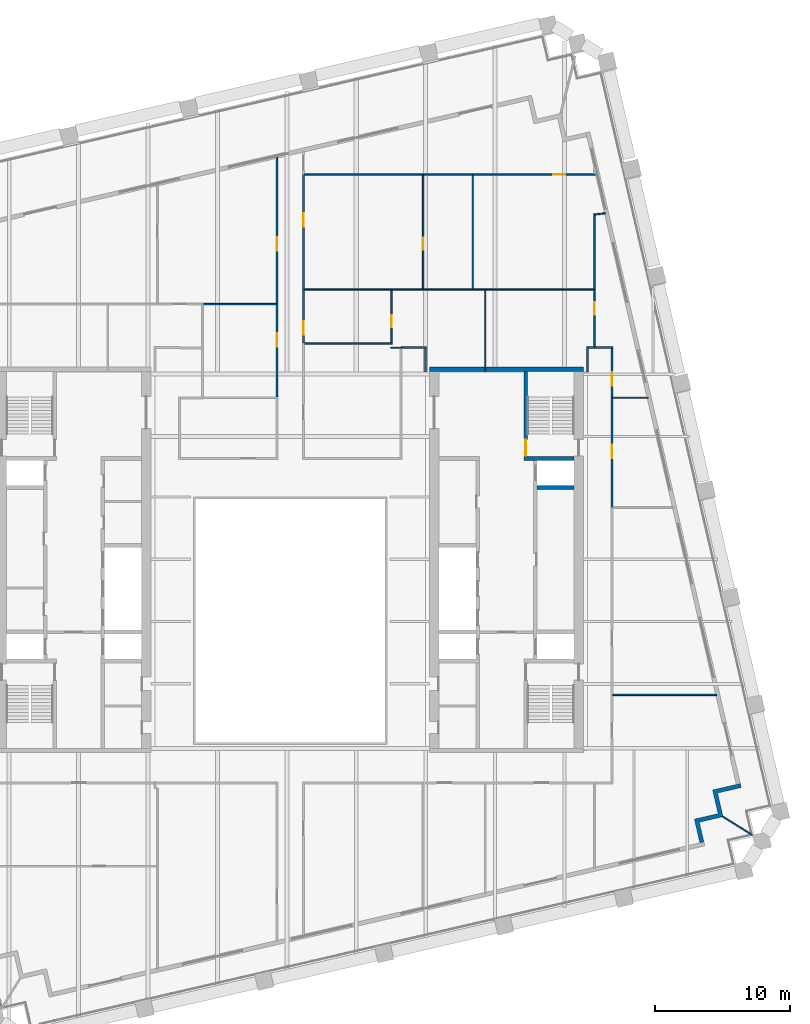
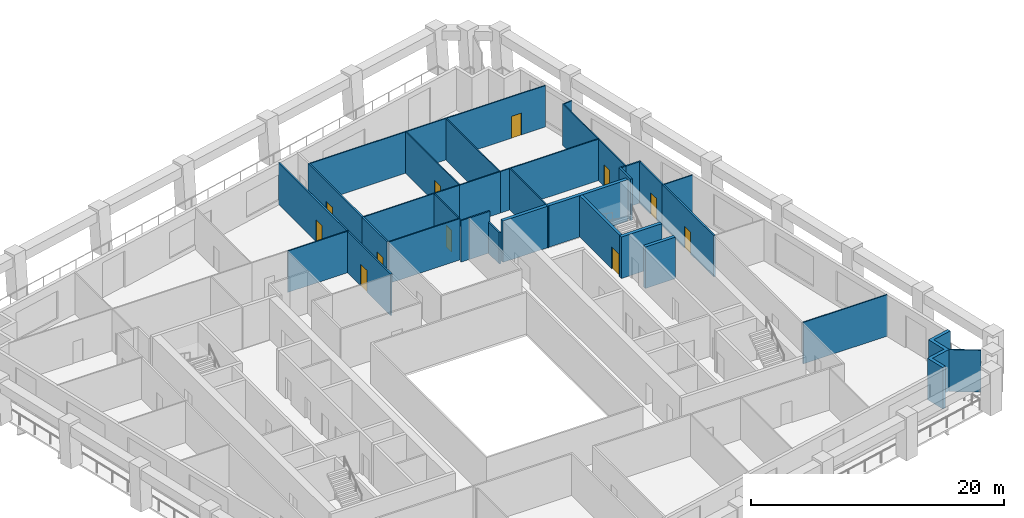
# One storey, part 8 of 10: 37 walls, 11 doors, 11 openings.
"""IFC4 building model written with IfcOpenShell, lengths in metres."""

from ifc_helpers import new_model, si_unit, direction, frame, frame_2d, origin, place, context, subcontext, project, spatial, polyline, rectangle, outline, extrude, material, layer, layer_set, type_object, element, fill, save


model = new_model("IFC4")

# Units and contexts
model_context = context("Model", 3, precision=1e-05, world=origin(), true_north=direction((0.0, 1.0)))
body_context = subcontext(model_context, "Body", "Model", "MODEL_VIEW")
ifc_project = project(units=[si_unit("LENGTHUNIT", "METRE"), si_unit("AREAUNIT", "SQUARE_METRE"), si_unit("VOLUMEUNIT", "CUBIC_METRE"), si_unit("PLANEANGLEUNIT", "RADIAN"), si_unit("MASSUNIT", "GRAM", prefix="KILO")], contexts=[model_context])

# Site, building, storey
site_placement = place(None, origin())
site = spatial("IfcSite", under=ifc_project, at=site_placement, CompositionType="ELEMENT")
building_placement = place(site_placement, origin())
building = spatial("IfcBuilding", under=site, at=building_placement, Name="Ogive Exchange Tower", CompositionType="ELEMENT")
storey_placement = place(building_placement, frame((0.0, 0.0, 192.60009765625)))
storey = spatial("IfcBuildingStorey", under=building, at=storey_placement, Name="L42", CompositionType="ELEMENT", Elevation=192.60009765625)

# Wall, opening, door
ifc_material_1 = material(Name="Fire partition EI 60 150")
ifc_layer_1 = layer(ifc_material_1, 0.14990234375)
ifc_layer_set_1 = layer_set([ifc_layer_1], Name="Fire partition EI 60 150")
wall_type_1 = type_object("IfcWallType", Name="Fire partition EI 60 150", PredefinedType="PARTITIONING", material=ifc_layer_set_1)
wall_1_placement = place(storey_placement, frame((-0.989990234375, 23.5400390625, 0.0), z_axis=(0.0, 0.0, 1.0), x_axis=(0.0, 1.0, 0.0)))
wall_1 = element("IfcWall", 1, at=wall_1_placement, inside=storey, type_object=wall_type_1, Name="L42-PWL-039", PredefinedType="PARTITIONING", context=body_context, shape_type="SweptSolid", body=[
    extrude(rectangle(XDim=6.830078125, YDim=0.14990234375, at=frame_2d((3.4150390625, 0.0))), origin(), (0.0, 0.0, 1.0), 4.0),
])
opening_1_placement = place(wall_1_placement, frame((3.72998046875, 0.0, 0.0)))
opening_1 = element("IfcOpeningElement", 2, at=opening_1_placement, cuts=wall_1, Name="Opening L42-I06", PredefinedType="OPENING", context=body_context, shape_type="SweptSolid", body=[
    extrude(rectangle(XDim=1.0, YDim=2.10009765625, at=frame_2d((0.5, 1.050048828125))), frame((0.0, 0.0849609375, 0.0), z_axis=(0.0, -1.0, 0.0), x_axis=(1.0, 0.0, 0.0)), (0.0, 0.0, 1.0), 0.169921875),
])
ifc_material_2 = material(Name="Fire door FD 30S 1000 x 2100")
door_type_1 = type_object("IfcDoorType", Name="Fire door FD 30S 1000 x 2100", OperationType="NOTDEFINED", PredefinedType="DOOR", material=ifc_material_2)
door_1_placement = place(opening_1_placement, origin())
door_1 = element("IfcDoor", 3, at=door_1_placement, inside=storey, type_object=door_type_1, Name="L42-IDR-006", ObjectType="DT3", OperationType="SINGLE_SWING_LEFT", OverallHeight=2.10009765625, OverallWidth=1.0, PredefinedType="DOOR", context=body_context, shape_type="SweptSolid", body=[
    extrude(rectangle(XDim=1.0, YDim=2.10009765625, at=frame_2d((0.5, 1.050048828125))), frame((0.0, 0.02490234375, 0.0), z_axis=(0.0, -1.0, 0.0), x_axis=(1.0, 0.0, 0.0)), (0.0, 0.0, 1.0), 0.050048828125),
])
fill(opening_1, door_1)

wall_2_placement = place(storey_placement, frame((-0.989990234375, 30.469970703125, 0.0), z_axis=(0.0, 0.0, 1.0), x_axis=(0.0, 1.0, 0.0)))
wall_2 = element("IfcWall", 4, at=wall_2_placement, inside=storey, type_object=wall_type_1, Name="L42-PWL-040", PredefinedType="PARTITIONING", context=body_context, shape_type="SweptSolid", body=[
    extrude(rectangle(XDim=10.825927734375, YDim=0.14990234375, at=frame_2d((5.4130859375, 0.0))), origin(), (0.0, 0.0, 1.0), 4.0),
])
opening_2_placement = place(wall_2_placement, frame((3.89990234375, 0.0, 0.0)))
opening_2 = element("IfcOpeningElement", 5, at=opening_2_placement, cuts=wall_2, Name="Opening L42-I07", PredefinedType="OPENING", context=body_context, shape_type="SweptSolid", body=[
    extrude(rectangle(XDim=1.0, YDim=2.10009765625, at=frame_2d((0.5, 1.050048828125))), frame((0.0, 0.0849609375, 0.0), z_axis=(0.0, -1.0, 0.0), x_axis=(1.0, 0.0, 0.0)), (0.0, 0.0, 1.0), 0.169921875),
])
door_2_placement = place(opening_2_placement, origin())
door_2 = element("IfcDoor", 6, at=door_2_placement, inside=storey, type_object=door_type_1, Name="L42-IDR-007", ObjectType="DT3", OperationType="SINGLE_SWING_RIGHT", OverallHeight=2.10009765625, OverallWidth=1.0, PredefinedType="DOOR", context=body_context, shape_type="SweptSolid", body=[
    extrude(rectangle(XDim=1.0, YDim=2.10009765625, at=frame_2d((0.5, 1.050048828125))), frame((0.0, 0.02490234375, 0.0), z_axis=(0.0, -1.0, 0.0), x_axis=(1.0, 0.0, 0.0)), (0.0, 0.0, 1.0), 0.050048828125),
])
fill(opening_2, door_2)

wall_3_placement = place(storey_placement, frame((0.989990234375, 31.5, 0.0), z_axis=(0.0, 0.0, 1.0), x_axis=(0.0, -1.0, 0.0)))
wall_3 = element("IfcWall", 7, at=wall_3_placement, inside=storey, type_object=wall_type_1, Name="L42-PWL-044", PredefinedType="PARTITIONING", context=body_context, shape_type="SweptSolid", body=[
    extrude(rectangle(XDim=3.949951171875, YDim=0.14990234375, at=frame_2d((1.97509765625, 0.0))), origin(), (0.0, 0.0, 1.0), 4.0),
])
opening_3_placement = place(wall_3_placement, frame((2.35009765625, 0.0, 0.0)))
opening_3 = element("IfcOpeningElement", 8, at=opening_3_placement, cuts=wall_3, Name="Opening L42-I22", PredefinedType="OPENING", context=body_context, shape_type="SweptSolid", body=[
    extrude(rectangle(XDim=1.0, YDim=2.10009765625, at=frame_2d((0.5, 1.050048828125))), frame((0.0, 0.0849609375, 0.0), z_axis=(0.0, -1.0, 0.0), x_axis=(1.0, 0.0, 0.0)), (0.0, 0.0, 1.0), 0.169921875),
])
door_3_placement = place(opening_3_placement, origin())
door_3 = element("IfcDoor", 9, at=door_3_placement, inside=storey, type_object=door_type_1, Name="L42-IDR-022", ObjectType="DT3", OperationType="SINGLE_SWING_LEFT", OverallHeight=2.10009765625, OverallWidth=1.0, PredefinedType="DOOR", context=body_context, shape_type="SweptSolid", body=[
    extrude(rectangle(XDim=1.0, YDim=2.10009765625, at=frame_2d((0.5, 1.050048828125))), frame((0.0, 0.02490234375, 0.0), z_axis=(0.0, -1.0, 0.0), x_axis=(1.0, 0.0, 0.0)), (0.0, 0.0, 1.0), 0.050048828125),
])
fill(opening_3, door_3)

wall_4_placement = place(storey_placement, frame((0.989990234375, 40.050048828125, 0.0), z_axis=(0.0, 0.0, 1.0), x_axis=(0.0, -1.0, 0.0)))
wall_4 = element("IfcWall", 10, at=wall_4_placement, inside=storey, type_object=wall_type_1, Name="L42-PWL-046", PredefinedType="PARTITIONING", context=body_context, shape_type="SweptSolid", body=[
    extrude(rectangle(XDim=8.550048828125, YDim=0.14990234375, at=frame_2d((4.27490234375, 0.0))), origin(), (0.0, 0.0, 1.0), 4.0),
])
opening_4_placement = place(wall_4_placement, frame((2.89990234375, 0.0, 0.0)))
opening_4 = element("IfcOpeningElement", 11, at=opening_4_placement, cuts=wall_4, Name="Opening L42-I26", PredefinedType="OPENING", context=body_context, shape_type="SweptSolid", body=[
    extrude(rectangle(XDim=1.0, YDim=2.10009765625, at=frame_2d((0.5, 1.050048828125))), frame((0.0, 0.0849609375, 0.0), z_axis=(0.0, -1.0, 0.0), x_axis=(1.0, 0.0, 0.0)), (0.0, 0.0, 1.0), 0.169921875),
])
door_4_placement = place(opening_4_placement, origin())
door_4 = element("IfcDoor", 12, at=door_4_placement, inside=storey, type_object=door_type_1, Name="L42-IDR-026", ObjectType="DT3", OperationType="SINGLE_SWING_RIGHT", OverallHeight=2.10009765625, OverallWidth=1.0, PredefinedType="DOOR", context=body_context, shape_type="SweptSolid", body=[
    extrude(rectangle(XDim=1.0, YDim=2.10009765625, at=frame_2d((0.5, 1.050048828125))), frame((0.0, 0.02490234375, 0.0), z_axis=(0.0, -1.0, 0.0), x_axis=(1.0, 0.0, 0.0)), (0.0, 0.0, 1.0), 0.050048828125),
])
fill(opening_4, door_4)

# Walls
wall_5_placement = place(storey_placement, frame((8.199951171875, 27.199951171875, 0.0), z_axis=(0.0, 0.0, 1.0), x_axis=(1.0, 0.0, 0.0)))
element("IfcWall", 13, at=wall_5_placement, inside=storey, type_object=wall_type_1, Name="L42-PWL-054", PredefinedType="PARTITIONING", context=body_context, shape_type="SweptSolid", body=[
    extrude(rectangle(XDim=1.875, YDim=0.14990234375, at=frame_2d((0.9375, 0.0))), origin(), (0.0, 0.0, 1.0), 4.0),
])
wall_6_placement = place(storey_placement, frame((10.0, 27.125, 0.0), z_axis=(0.0, 0.0, 1.0), x_axis=(0.0, -1.0, 0.0)))
element("IfcWall", 14, at=wall_6_placement, inside=storey, type_object=wall_type_1, Name="L42-PWL-060", PredefinedType="PARTITIONING", context=body_context, shape_type="SweptSolid", body=[
    extrude(rectangle(XDim=1.72509765625, YDim=0.14990234375, at=frame_2d((0.862548828125, 0.0))), origin(), (0.0, 0.0, 1.0), 3.02001953125),
])
wall_7_placement = place(storey_placement, frame((22.0, 25.39990234375, 0.0), z_axis=(0.0, 0.0, 1.0), x_axis=(0.0, 1.0, 0.0)))
element("IfcWall", 15, at=wall_7_placement, inside=storey, type_object=wall_type_1, Name="L42-PWL-068", PredefinedType="PARTITIONING", context=body_context, shape_type="SweptSolid", body=[
    extrude(rectangle(XDim=1.875, YDim=0.14990234375, at=frame_2d((0.9375, 0.0))), origin(), (0.0, 0.0, 1.0), 4.0),
])
wall_8_placement = place(storey_placement, frame((22.074951171875, 27.199951171875, 0.0), z_axis=(0.0, 0.0, 1.0), x_axis=(1.0, 0.0, 0.0)))
element("IfcWall", 16, at=wall_8_placement, inside=storey, type_object=wall_type_1, Name="L42-PWL-069", PredefinedType="PARTITIONING", context=body_context, shape_type="SweptSolid", body=[
    extrude(rectangle(XDim=0.445068359375, YDim=0.14990234375, at=frame_2d((0.22265625, 0.0))), origin(), (0.0, 0.0, 1.0), 4.0),
])
wall_9_placement = place(storey_placement, frame((22.52001953125, 27.199951171875, 0.0), z_axis=(0.0, 0.0, 1.0), x_axis=(1.0, 0.0, 0.0)))
element("IfcWall", 17, at=wall_9_placement, inside=storey, type_object=wall_type_1, Name="L42-PWL-073", PredefinedType="PARTITIONING", context=body_context, shape_type="SweptSolid", body=[
    extrude(rectangle(XDim=1.35498046875, YDim=0.14990234375, at=frame_2d((0.677490234375, 0.0))), origin(), (0.0, 0.0, 1.0), 4.0),
])

# Wall, opening, door
wall_10_placement = place(storey_placement, frame((23.800048828125, 23.5400390625, 0.0), z_axis=(0.0, 0.0, 1.0), x_axis=(0.0, -1.0, 0.0)))
wall_10 = element("IfcWall", 18, at=wall_10_placement, inside=storey, type_object=wall_type_1, Name="L42-PWL-082", PredefinedType="PARTITIONING", context=body_context, shape_type="SweptSolid", body=[
    extrude(rectangle(XDim=8.16015625, YDim=0.14990234375, at=frame_2d((4.080078125, 0.0))), origin(), (0.0, 0.0, 1.0), 4.0),
])
opening_5_placement = place(wall_10_placement, frame((3.510009765625, 0.0, 0.0)))
opening_5 = element("IfcOpeningElement", 19, at=opening_5_placement, cuts=wall_10, Name="Opening L42-I20", PredefinedType="OPENING", context=body_context, shape_type="SweptSolid", body=[
    extrude(rectangle(XDim=1.0, YDim=2.10009765625, at=frame_2d((0.5, 1.050048828125))), frame((0.0, 0.0849609375, 0.0), z_axis=(0.0, -1.0, 0.0), x_axis=(1.0, 0.0, 0.0)), (0.0, 0.0, 1.0), 0.169921875),
])
door_5_placement = place(opening_5_placement, origin())
door_5 = element("IfcDoor", 20, at=door_5_placement, inside=storey, type_object=door_type_1, Name="L42-IDR-020", ObjectType="DT3", OperationType="SINGLE_SWING_LEFT", OverallHeight=2.10009765625, OverallWidth=1.0, PredefinedType="DOOR", context=body_context, shape_type="SweptSolid", body=[
    extrude(rectangle(XDim=1.0, YDim=2.10009765625, at=frame_2d((0.5, 1.050048828125))), frame((0.0, 0.02490234375, 0.0), z_axis=(0.0, -1.0, 0.0), x_axis=(1.0, 0.0, 0.0)), (0.0, 0.0, 1.0), 0.050048828125),
])
fill(opening_5, door_5)

wall_11_placement = place(storey_placement, frame((23.800048828125, 27.125, 0.0), z_axis=(0.0, 0.0, 1.0), x_axis=(0.0, -1.0, 0.0)))
wall_11 = element("IfcWall", 21, at=wall_11_placement, inside=storey, type_object=wall_type_1, Name="L42-PWL-084", PredefinedType="PARTITIONING", context=body_context, shape_type="SweptSolid", body=[
    extrude(rectangle(XDim=3.5849609375, YDim=0.14990234375, at=frame_2d((1.79248046875, 0.0))), origin(), (0.0, 0.0, 1.0), 4.0),
])
opening_6_placement = place(wall_11_placement, frame((1.735107421875, 0.0, 0.0)))
opening_6 = element("IfcOpeningElement", 22, at=opening_6_placement, cuts=wall_11, Name="Opening L42-I21", PredefinedType="OPENING", context=body_context, shape_type="SweptSolid", body=[
    extrude(rectangle(XDim=1.0, YDim=2.10009765625, at=frame_2d((0.5, 1.050048828125))), frame((0.0, 0.0849609375, 0.0), z_axis=(0.0, -1.0, 0.0), x_axis=(1.0, 0.0, 0.0)), (0.0, 0.0, 1.0), 0.169921875),
])
door_6_placement = place(opening_6_placement, origin())
door_6 = element("IfcDoor", 23, at=door_6_placement, inside=storey, type_object=door_type_1, Name="L42-IDR-021", ObjectType="DT3", OperationType="SINGLE_SWING_LEFT", OverallHeight=2.10009765625, OverallWidth=1.0, PredefinedType="DOOR", context=body_context, shape_type="SweptSolid", body=[
    extrude(rectangle(XDim=1.0, YDim=2.10009765625, at=frame_2d((0.5, 1.050048828125))), frame((0.0, 0.02490234375, 0.0), z_axis=(0.0, -1.0, 0.0), x_axis=(1.0, 0.0, 0.0)), (0.0, 0.0, 1.0), 0.050048828125),
])
fill(opening_6, door_6)

# Walls
ifc_material_3 = material(Name="Precast concrete C40/50", Category="concrete")
ifc_layer_2 = layer(ifc_material_3, 0.300048828125)
ifc_layer_set_2 = layer_set([ifc_layer_2], Name="Limestone-faced wall 300")
wall_type_2 = type_object("IfcWallType", Name="Limestone-faced wall 300", PredefinedType="STANDARD", material=ifc_layer_set_2)
wall_12_placement = place(storey_placement, origin())
element("IfcWall", 24, at=wall_12_placement, inside=storey, type_object=wall_type_2, Name="External corner wall C1", PredefinedType="STANDARD", context=body_context, shape_type="SweptSolid", body=[
    extrude(outline(polyline([(31.662109375, -7.28466796875), (31.257080078125, -5.53076171875), (33.30322265625, -5.058349609375), (33.370849609375, -5.3505859375), (31.616943359375, -5.755615234375), (32.02197265625, -7.509521484375), (30.26806640625, -7.914306640625), (30.60546875, -9.3759765625), (30.31298828125, -9.443359375), (29.908203125, -7.689697265625), (31.662109375, -7.28466796875)])), origin(), (0.0, 0.0, 1.0), 4.0),
])
ifc_material_4 = material(Name="Laminated safety glass in steel frame", Category="steel")
ifc_layer_3 = layer(ifc_material_4, 0.10009765625)
ifc_layer_set_3 = layer_set([ifc_layer_3], Name="Loggia end screen 100")
wall_type_3 = type_object("IfcWallType", Name="Loggia end screen 100", PredefinedType="STANDARD", material=ifc_layer_set_3)
wall_13_placement = place(storey_placement, frame((32.02197265625, -7.509521484375, -0.050048828125), z_axis=(0.0, 0.0, 1.0), x_axis=(0.848047176257, -0.529920736377, 0.0)))
element("IfcWall", 25, at=wall_13_placement, inside=storey, type_object=wall_type_3, Name="Loggia end screen C1", PredefinedType="STANDARD", context=body_context, shape_type="SweptSolid", body=[
    extrude(rectangle(XDim=2.525634765625, YDim=0.10009765625, at=frame_2d((1.2626953125, 0.0))), origin(), (0.0, 0.0, 1.0), 4.050048828125),
])
ifc_material_5 = material(Name="Partition 100 gypsum")
ifc_layer_4 = layer(ifc_material_5, 0.10009765625)
ifc_layer_set_4 = layer_set([ifc_layer_4], Name="Partition 100 gypsum")
wall_type_4 = type_object("IfcWallType", Name="Partition 100 gypsum", PredefinedType="PARTITIONING", material=ifc_layer_set_4)
wall_14_placement = place(storey_placement, frame((-6.5, 30.419921875, 0.0), z_axis=(0.0, 0.0, 1.0), x_axis=(1.0, 0.0, 0.0)))
element("IfcWall", 26, at=wall_14_placement, inside=storey, type_object=wall_type_4, Name="L42-PWL-035", PredefinedType="PARTITIONING", context=body_context, shape_type="SweptSolid", body=[
    extrude(rectangle(XDim=5.5849609375, YDim=0.10009765625, at=frame_2d((2.79248046875, 0.0))), origin(), (0.0, 0.0, 1.0), 4.0),
])
wall_15_placement = place(storey_placement, frame((1.06494140625, 31.5, 0.0), z_axis=(0.0, 0.0, 1.0), x_axis=(1.0, 0.0, 0.0)))
element("IfcWall", 27, at=wall_15_placement, inside=storey, type_object=wall_type_4, Name="L42-PWL-045", PredefinedType="PARTITIONING", context=body_context, shape_type="SweptSolid", body=[
    extrude(rectangle(XDim=6.485107421875, YDim=0.10009765625, at=frame_2d((3.24267578125, 0.0))), origin(), (0.0, 0.0, 1.0), 4.0),
])
wall_16_placement = place(storey_placement, frame((1.06494140625, 40.0, 0.0), z_axis=(0.0, 0.0, 1.0), x_axis=(1.0, 0.0, 0.0)))
element("IfcWall", 28, at=wall_16_placement, inside=storey, type_object=wall_type_4, Name="L42-PWL-047", PredefinedType="PARTITIONING", context=body_context, shape_type="SweptSolid", body=[
    extrude(rectangle(XDim=8.81494140625, YDim=0.10009765625, at=frame_2d((4.407470703125, 0.0))), origin(), (0.0, 0.0, 1.0), 4.0),
])
wall_17_placement = place(storey_placement, frame((7.449951171875, 27.18994140625, 0.0), z_axis=(0.0, 0.0, 1.0), x_axis=(1.0, 0.0, 0.0)))
element("IfcWall", 29, at=wall_17_placement, inside=storey, type_object=wall_type_4, Name="L42-PWL-049", PredefinedType="PARTITIONING", context=body_context, shape_type="SweptSolid", body=[
    extrude(rectangle(XDim=0.75, YDim=0.10009765625, at=frame_2d((0.375, 0.0))), origin(), (0.0, 0.0, 1.0), 4.0),
])
wall_18_placement = place(storey_placement, frame((7.550048828125, 27.5, 0.0), z_axis=(0.0, 0.0, 1.0), x_axis=(-1.0, 0.0, 0.0)))
element("IfcWall", 30, at=wall_18_placement, inside=storey, type_object=wall_type_4, Name="L42-PWL-050", PredefinedType="PARTITIONING", context=body_context, shape_type="SweptSolid", body=[
    extrude(rectangle(XDim=6.485107421875, YDim=0.10009765625, at=frame_2d((3.24267578125, 0.0))), origin(), (0.0, 0.0, 1.0), 4.0),
])

# Wall, opening, door
wall_19_placement = place(storey_placement, frame((7.5, 31.449951171875, 0.0), z_axis=(0.0, 0.0, 1.0), x_axis=(0.0, -1.0, 0.0)))
wall_19 = element("IfcWall", 31, at=wall_19_placement, inside=storey, type_object=wall_type_4, Name="L42-PWL-051", PredefinedType="PARTITIONING", context=body_context, shape_type="SweptSolid", body=[
    extrude(rectangle(XDim=3.89990234375, YDim=0.10009765625, at=frame_2d((1.949951171875, 0.0))), origin(), (0.0, 0.0, 1.0), 4.0),
])
opening_7_placement = place(wall_19_placement, frame((1.85009765625, 0.0, 0.0)))
opening_7 = element("IfcOpeningElement", 32, at=opening_7_placement, cuts=wall_19, Name="Opening L42-I24", PredefinedType="OPENING", context=body_context, shape_type="SweptSolid", body=[
    extrude(rectangle(XDim=0.89990234375, YDim=2.10009765625, at=frame_2d((0.449951171875, 1.050048828125))), frame((0.0, 0.06005859375, 0.0), z_axis=(0.0, -1.0, 0.0), x_axis=(1.0, 0.0, 0.0)), (0.0, 0.0, 1.0), 0.1201171875),
])
ifc_material_6 = material(Name="Door 900 x 2100")
door_type_2 = type_object("IfcDoorType", Name="Door 900 x 2100", OperationType="NOTDEFINED", PredefinedType="DOOR", material=ifc_material_6)
door_7_placement = place(opening_7_placement, frame((0.89990234375, 0.0, 0.0), z_axis=(0.0, 0.0, 1.0), x_axis=(-1.0, 0.0, 0.0)))
door_7 = element("IfcDoor", 33, at=door_7_placement, inside=storey, type_object=door_type_2, Name="L42-IDR-024", ObjectType="DT1", OperationType="SINGLE_SWING_RIGHT", OverallHeight=2.10009765625, OverallWidth=0.89990234375, PredefinedType="DOOR", context=body_context, shape_type="SweptSolid", body=[
    extrude(rectangle(XDim=0.89990234375, YDim=2.10009765625, at=frame_2d((0.449951171875, 1.050048828125))), frame((0.0, 0.02490234375, 0.0), z_axis=(0.0, -1.0, 0.0), x_axis=(1.0, 0.0, 0.0)), (0.0, 0.0, 1.0), 0.050048828125),
])
fill(opening_7, door_7)

# Walls
wall_20_placement = place(storey_placement, frame((7.5, 31.5, 0.0), z_axis=(0.0, 0.0, 1.0), x_axis=(1.0, 0.0, 0.0)))
element("IfcWall", 34, at=wall_20_placement, inside=storey, type_object=wall_type_4, Name="L42-PWL-052", PredefinedType="PARTITIONING", context=body_context, shape_type="SweptSolid", body=[
    extrude(rectangle(XDim=2.280029296875, YDim=0.10009765625, at=frame_2d((1.14013671875, 0.0))), origin(), (0.0, 0.0, 1.0), 4.0),
])
wall_21_placement = place(storey_placement, frame((9.780029296875, 31.5, 0.0), z_axis=(0.0, 0.0, 1.0), x_axis=(1.0, 0.0, 0.0)))
element("IfcWall", 35, at=wall_21_placement, inside=storey, type_object=wall_type_4, Name="L42-PWL-057", PredefinedType="PARTITIONING", context=body_context, shape_type="SweptSolid", body=[
    extrude(rectangle(XDim=3.77001953125, YDim=0.10009765625, at=frame_2d((1.885009765625, 0.0))), origin(), (0.0, 0.0, 1.0), 4.0),
])

# Wall, opening, door
wall_22_placement = place(storey_placement, frame((9.830078125, 39.949951171875, 0.0), z_axis=(0.0, 0.0, 1.0), x_axis=(0.0, -1.0, 0.0)))
wall_22 = element("IfcWall", 36, at=wall_22_placement, inside=storey, type_object=wall_type_4, Name="L42-PWL-058", PredefinedType="PARTITIONING", context=body_context, shape_type="SweptSolid", body=[
    extrude(rectangle(XDim=8.39990234375, YDim=0.10009765625, at=frame_2d((4.199951171875, 0.0))), origin(), (0.0, 0.0, 1.0), 4.0),
])
opening_8_placement = place(wall_22_placement, frame((4.60009765625, 0.0, 0.0)))
opening_8 = element("IfcOpeningElement", 37, at=opening_8_placement, cuts=wall_22, Name="Opening L42-I27", PredefinedType="OPENING", context=body_context, shape_type="SweptSolid", body=[
    extrude(rectangle(XDim=0.89990234375, YDim=2.10009765625, at=frame_2d((0.449951171875, 1.050048828125))), frame((0.0, 0.06005859375, 0.0), z_axis=(0.0, -1.0, 0.0), x_axis=(1.0, 0.0, 0.0)), (0.0, 0.0, 1.0), 0.1201171875),
])
door_8_placement = place(opening_8_placement, origin())
door_8 = element("IfcDoor", 38, at=door_8_placement, inside=storey, type_object=door_type_2, Name="L42-IDR-027", ObjectType="DT1", OperationType="SINGLE_SWING_LEFT", OverallHeight=2.10009765625, OverallWidth=0.89990234375, PredefinedType="DOOR", context=body_context, shape_type="SweptSolid", body=[
    extrude(rectangle(XDim=0.89990234375, YDim=2.10009765625, at=frame_2d((0.449951171875, 1.050048828125))), frame((0.0, 0.02490234375, 0.0), z_axis=(0.0, -1.0, 0.0), x_axis=(1.0, 0.0, 0.0)), (0.0, 0.0, 1.0), 0.050048828125),
])
fill(opening_8, door_8)

# Walls
wall_23_placement = place(storey_placement, frame((9.8798828125, 40.0, 0.0), z_axis=(0.0, 0.0, 1.0), x_axis=(1.0, 0.0, 0.0)))
element("IfcWall", 39, at=wall_23_placement, inside=storey, type_object=wall_type_4, Name="L42-PWL-059", PredefinedType="PARTITIONING", context=body_context, shape_type="SweptSolid", body=[
    extrude(rectangle(XDim=3.6201171875, YDim=0.10009765625, at=frame_2d((1.81005859375, 0.0))), origin(), (0.0, 0.0, 1.0), 4.0),
])
wall_24_placement = place(storey_placement, frame((13.550048828125, 31.5, 0.0), z_axis=(0.0, 0.0, 1.0), x_axis=(1.0, 0.0, 0.0)))
element("IfcWall", 40, at=wall_24_placement, inside=storey, type_object=wall_type_4, Name="L42-PWL-061", PredefinedType="PARTITIONING", context=body_context, shape_type="SweptSolid", body=[
    extrude(rectangle(XDim=0.8798828125, YDim=0.10009765625, at=frame_2d((0.43994140625, 0.0))), origin(), (0.0, 0.0, 1.0), 4.0),
])
wall_25_placement = place(storey_placement, frame((13.5, 39.949951171875, 0.0), z_axis=(0.0, 0.0, 1.0), x_axis=(0.0, -1.0, 0.0)))
element("IfcWall", 41, at=wall_25_placement, inside=storey, type_object=wall_type_4, Name="L42-PWL-062", PredefinedType="PARTITIONING", context=body_context, shape_type="SweptSolid", body=[
    extrude(rectangle(XDim=8.39990234375, YDim=0.10009765625, at=frame_2d((4.199951171875, 0.0))), origin(), (0.0, 0.0, 1.0), 4.0),
])

# Wall, opening, door
wall_26_placement = place(storey_placement, frame((13.5, 40.0, 0.0), z_axis=(0.0, 0.0, 1.0), x_axis=(1.0, 0.0, 0.0)))
wall_26 = element("IfcWall", 42, at=wall_26_placement, inside=storey, type_object=wall_type_4, Name="L42-PWL-063", PredefinedType="PARTITIONING", context=body_context, shape_type="SweptSolid", body=[
    extrude(rectangle(XDim=9.070068359375, YDim=0.10009765625, at=frame_2d((4.53515625, 0.0))), origin(), (0.0, 0.0, 1.0), 4.0),
])
opening_9_placement = place(wall_26_placement, frame((5.949951171875, 0.0, 0.0)))
opening_9 = element("IfcOpeningElement", 43, at=opening_9_placement, cuts=wall_26, Name="Opening L42-I28", PredefinedType="OPENING", context=body_context, shape_type="SweptSolid", body=[
    extrude(rectangle(XDim=0.89990234375, YDim=2.10009765625, at=frame_2d((0.449951171875, 1.050048828125))), frame((0.0, 0.06005859375, 0.0), z_axis=(0.0, -1.0, 0.0), x_axis=(1.0, 0.0, 0.0)), (0.0, 0.0, 1.0), 0.1201171875),
])
door_9_placement = place(opening_9_placement, frame((0.89990234375, 0.0, 0.0), z_axis=(0.0, 0.0, 1.0), x_axis=(-1.0, 0.0, 0.0)))
door_9 = element("IfcDoor", 44, at=door_9_placement, inside=storey, type_object=door_type_2, Name="L42-IDR-028", ObjectType="DT1", OperationType="SINGLE_SWING_RIGHT", OverallHeight=2.10009765625, OverallWidth=0.89990234375, PredefinedType="DOOR", context=body_context, shape_type="SweptSolid", body=[
    extrude(rectangle(XDim=0.89990234375, YDim=2.10009765625, at=frame_2d((0.449951171875, 1.050048828125))), frame((0.0, 0.02490234375, 0.0), z_axis=(0.0, -1.0, 0.0), x_axis=(1.0, 0.0, 0.0)), (0.0, 0.0, 1.0), 0.050048828125),
])
fill(opening_9, door_9)

# Walls
wall_27_placement = place(storey_placement, frame((14.429931640625, 31.449951171875, 0.0), z_axis=(0.0, 0.0, 1.0), x_axis=(0.0, -1.0, 0.0)))
element("IfcWall", 45, at=wall_27_placement, inside=storey, type_object=wall_type_4, Name="L42-PWL-066", PredefinedType="PARTITIONING", context=body_context, shape_type="SweptSolid", body=[
    extrude(rectangle(XDim=6.050048828125, YDim=0.10009765625, at=frame_2d((3.02490234375, 0.0))), origin(), (0.0, 0.0, 1.0), 4.0),
])
wall_28_placement = place(storey_placement, frame((14.429931640625, 31.5, 0.0), z_axis=(0.0, 0.0, 1.0), x_axis=(1.0, 0.0, 0.0)))
element("IfcWall", 46, at=wall_28_placement, inside=storey, type_object=wall_type_4, Name="L42-PWL-067", PredefinedType="PARTITIONING", context=body_context, shape_type="SweptSolid", body=[
    extrude(rectangle(XDim=8.14013671875, YDim=0.10009765625, at=frame_2d((4.070068359375, 0.0))), origin(), (0.0, 0.0, 1.0), 4.0),
])

# Wall, opening, door
wall_29_placement = place(storey_placement, frame((22.52001953125, 27.27490234375, 0.0), z_axis=(0.0, 0.0, 1.0), x_axis=(0.0, 1.0, 0.0)))
wall_29 = element("IfcWall", 47, at=wall_29_placement, inside=storey, type_object=wall_type_4, Name="L42-PWL-072", PredefinedType="PARTITIONING", context=body_context, shape_type="SweptSolid", body=[
    extrude(rectangle(XDim=4.175048828125, YDim=0.10009765625, at=frame_2d((2.08740234375, 0.0))), origin(), (0.0, 0.0, 1.0), 4.0),
])
opening_10_placement = place(wall_29_placement, frame((2.375, 0.0, 0.0)))
opening_10 = element("IfcOpeningElement", 48, at=opening_10_placement, cuts=wall_29, Name="Opening L42-I25", PredefinedType="OPENING", context=body_context, shape_type="SweptSolid", body=[
    extrude(rectangle(XDim=0.89990234375, YDim=2.10009765625, at=frame_2d((0.449951171875, 1.050048828125))), frame((0.0, 0.06005859375, 0.0), z_axis=(0.0, -1.0, 0.0), x_axis=(1.0, 0.0, 0.0)), (0.0, 0.0, 1.0), 0.1201171875),
])
door_10_placement = place(opening_10_placement, frame((0.89990234375, 0.0, 0.0), z_axis=(0.0, 0.0, 1.0), x_axis=(-1.0, 0.0, 0.0)))
door_10 = element("IfcDoor", 49, at=door_10_placement, inside=storey, type_object=door_type_2, Name="L42-IDR-025", ObjectType="DT1", OperationType="SINGLE_SWING_LEFT", OverallHeight=2.10009765625, OverallWidth=0.89990234375, PredefinedType="DOOR", context=body_context, shape_type="SweptSolid", body=[
    extrude(rectangle(XDim=0.89990234375, YDim=2.10009765625, at=frame_2d((0.449951171875, 1.050048828125))), frame((0.0, 0.02490234375, 0.0), z_axis=(0.0, -1.0, 0.0), x_axis=(1.0, 0.0, 0.0)), (0.0, 0.0, 1.0), 0.050048828125),
])
fill(opening_10, door_10)

# Walls
wall_30_placement = place(storey_placement, frame((22.52001953125, 31.550048828125, 0.0), z_axis=(0.0, 0.0, 1.0), x_axis=(0.0, 1.0, 0.0)))
element("IfcWall", 50, at=wall_30_placement, inside=storey, type_object=wall_type_4, Name="L42-PWL-074", PredefinedType="PARTITIONING", context=body_context, shape_type="SweptSolid", body=[
    extrude(rectangle(XDim=5.550048828125, YDim=0.10009765625, at=frame_2d((2.77490234375, 0.0))), origin(), (0.0, 0.0, 1.0), 4.0),
])
wall_31_placement = place(storey_placement, frame((22.570068359375, 37.055908203125, 0.0), z_axis=(0.0, 0.0, 1.0), x_axis=(0.993410326243, 0.114612057454, 0.0)))
element("IfcWall", 51, at=wall_31_placement, inside=storey, type_object=wall_type_4, Name="L42-PWL-075", PredefinedType="PARTITIONING", context=body_context, shape_type="SweptSolid", body=[
    extrude(rectangle(XDim=0.76904296875, YDim=0.10009765625, at=frame_2d((0.384521484375, 0.0))), origin(), (0.0, 0.0, 1.0), 4.0),
])
wall_32_placement = place(storey_placement, frame((23.875, 1.510009765625, 0.0), z_axis=(0.0, 0.0, 1.0), x_axis=(1.0, 0.0, 0.0)))
element("IfcWall", 52, at=wall_32_placement, inside=storey, type_object=wall_type_4, Name="L42-PWL-079", PredefinedType="PARTITIONING", context=body_context, shape_type="SweptSolid", body=[
    extrude(rectangle(XDim=7.68701171875, YDim=0.10009765625, at=frame_2d((3.843505859375, 0.0))), origin(), (0.0, 0.0, 1.0), 4.0),
])
wall_33_placement = place(storey_placement, frame((23.875, 23.489990234375, 0.0), z_axis=(0.0, 0.0, 1.0), x_axis=(1.0, 0.0, 0.0)))
element("IfcWall", 53, at=wall_33_placement, inside=storey, type_object=wall_type_4, Name="L42-PWL-083", PredefinedType="PARTITIONING", context=body_context, shape_type="SweptSolid", body=[
    extrude(rectangle(XDim=2.612060546875, YDim=0.10009765625, at=frame_2d((1.30615234375, 0.0))), origin(), (0.0, 0.0, 1.0), 4.0),
])

# Wall, opening, door
ifc_material_7 = material(Name="Concrete C70/85", Category="concrete")
ifc_layer_5 = layer(ifc_material_7, 0.25)
ifc_layer_set_5 = layer_set([ifc_layer_5], Name="RC core wall 250 C70/85")
wall_type_5 = type_object("IfcWallType", Name="RC core wall 250 C70/85", PredefinedType="SHEAR", material=ifc_layer_set_5)
wall_34_placement = place(storey_placement, frame((17.425048828125, 19.14990234375, 0.0), z_axis=(0.0, 0.0, 1.0), x_axis=(0.0, 1.0, 0.0)))
wall_34 = element("IfcWall", 54, at=wall_34_placement, inside=storey, type_object=wall_type_5, Name="E stair N front wall", PredefinedType="SHEAR", context=body_context, shape_type="SweptSolid", body=[
    extrude(rectangle(XDim=6.300048828125, YDim=0.25, at=frame_2d((3.14990234375, 0.0))), origin(), (0.0, 0.0, 1.0), 4.0),
])
opening_11_placement = place(wall_34_placement, frame((0.050048828125, 0.0, 0.0)))
opening_11 = element("IfcOpeningElement", 55, at=opening_11_placement, cuts=wall_34, Name="Opening L42-C31", PredefinedType="OPENING", context=body_context, shape_type="SweptSolid", body=[
    extrude(rectangle(XDim=1.199951171875, YDim=2.10009765625, at=frame_2d((0.60009765625, 1.050048828125))), frame((0.0, 0.135009765625, 0.0), z_axis=(0.0, -1.0, 0.0), x_axis=(1.0, 0.0, 0.0)), (0.0, 0.0, 1.0), 0.27001953125),
])
ifc_material_8 = material(Name="Steel fire door", Category="steel")
door_type_3 = type_object("IfcDoorType", Name="Stair door FD90 1200 x 2100", OperationType="NOTDEFINED", PredefinedType="DOOR", material=ifc_material_8)
door_11_placement = place(opening_11_placement, frame((1.199951171875, 0.0, 0.0), z_axis=(0.0, 0.0, 1.0), x_axis=(-1.0, 0.0, 0.0)))
door_11 = element("IfcDoor", 56, at=door_11_placement, inside=storey, type_object=door_type_3, Name="Stair door", ObjectType="CD5", OperationType="SINGLE_SWING_LEFT", OverallHeight=2.10009765625, OverallWidth=1.199951171875, PredefinedType="DOOR", context=body_context, shape_type="SweptSolid", body=[
    extrude(rectangle(XDim=1.199951171875, YDim=2.10009765625, at=frame_2d((0.60009765625, 1.050048828125))), frame((0.0, 0.02490234375, 0.0), z_axis=(0.0, -1.0, 0.0), x_axis=(1.0, 0.0, 0.0)), (0.0, 0.0, 1.0), 0.050048828125),
])
fill(opening_11, door_11)

# Walls
ifc_layer_6 = layer(ifc_material_7, 0.300048828125)
ifc_layer_set_6 = layer_set([ifc_layer_6], Name="RC core wall 300 C70/85")
wall_type_6 = type_object("IfcWallType", Name="RC core wall 300 C70/85", PredefinedType="SHEAR", material=ifc_layer_set_6)
wall_35_placement = place(storey_placement, frame((10.300048828125, 25.60009765625, 0.0), z_axis=(0.0, 0.0, 1.0), x_axis=(1.0, 0.0, 0.0)))
element("IfcWall", 57, at=wall_35_placement, inside=storey, type_object=wall_type_6, Name="E north end wall", PredefinedType="SHEAR", context=body_context, shape_type="SweptSolid", body=[
    extrude(rectangle(XDim=11.39990234375, YDim=0.300048828125, at=frame_2d((5.699951171875, 0.0))), origin(), (0.0, 0.0, 1.0), 4.0),
])
wall_36_placement = place(storey_placement, frame((17.300048828125, 19.0, 0.0), z_axis=(0.0, 0.0, 1.0), x_axis=(1.0, 0.0, 0.0)))
element("IfcWall", 58, at=wall_36_placement, inside=storey, type_object=wall_type_6, Name="E stair N south wall", PredefinedType="SHEAR", context=body_context, shape_type="SweptSolid", body=[
    extrude(rectangle(XDim=3.699951171875, YDim=0.300048828125, at=frame_2d((1.85009765625, 0.0))), origin(), (0.0, 0.0, 1.0), 4.0),
])
wall_37_placement = place(storey_placement, frame((18.25, 16.857177734375, 0.0), z_axis=(0.0, 0.0, 1.0), x_axis=(1.0, 0.0, 0.0)))
element("IfcWall", 59, at=wall_37_placement, inside=storey, type_object=wall_type_6, Name="E row A divider 6", PredefinedType="SHEAR", context=body_context, shape_type="SweptSolid", body=[
    extrude(rectangle(XDim=2.75, YDim=0.300048828125, at=frame_2d((1.375, 0.0))), origin(), (0.0, 0.0, 1.0), 4.0),
])

save(model, "model.ifc")
